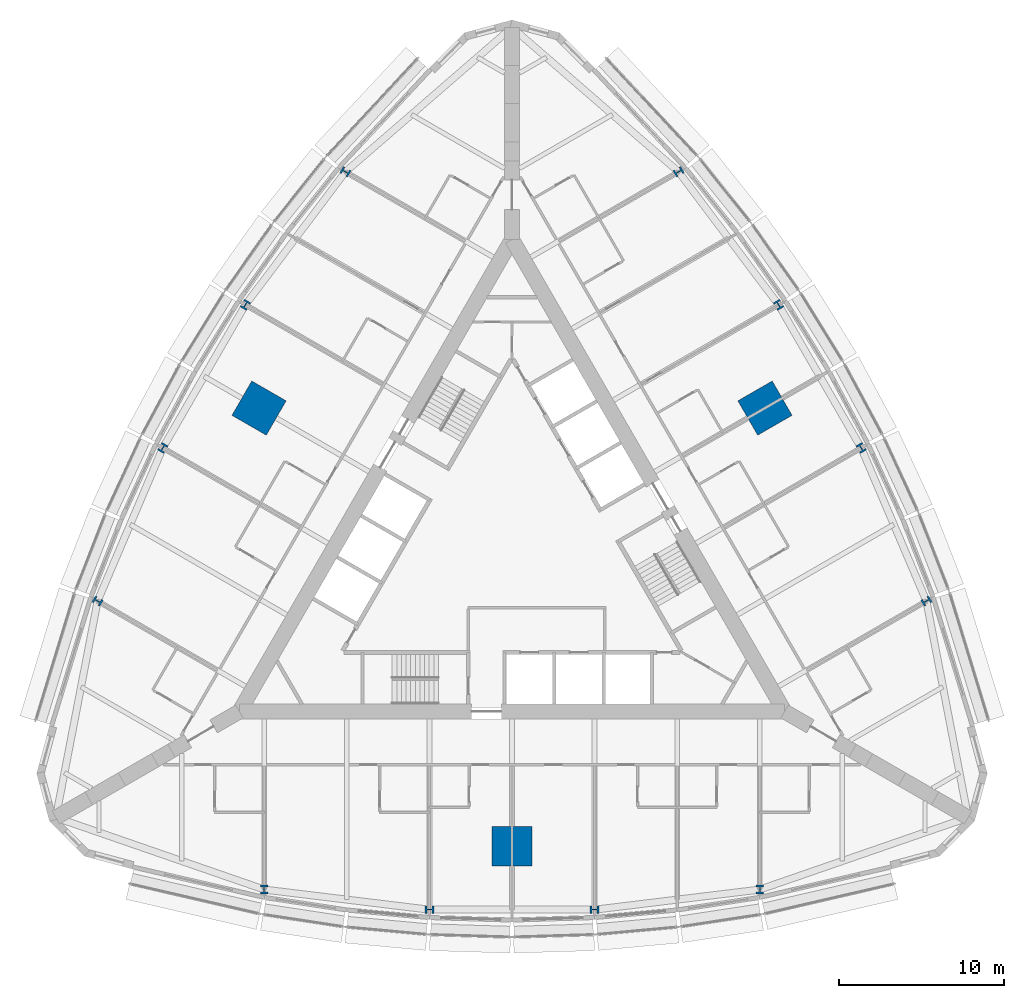
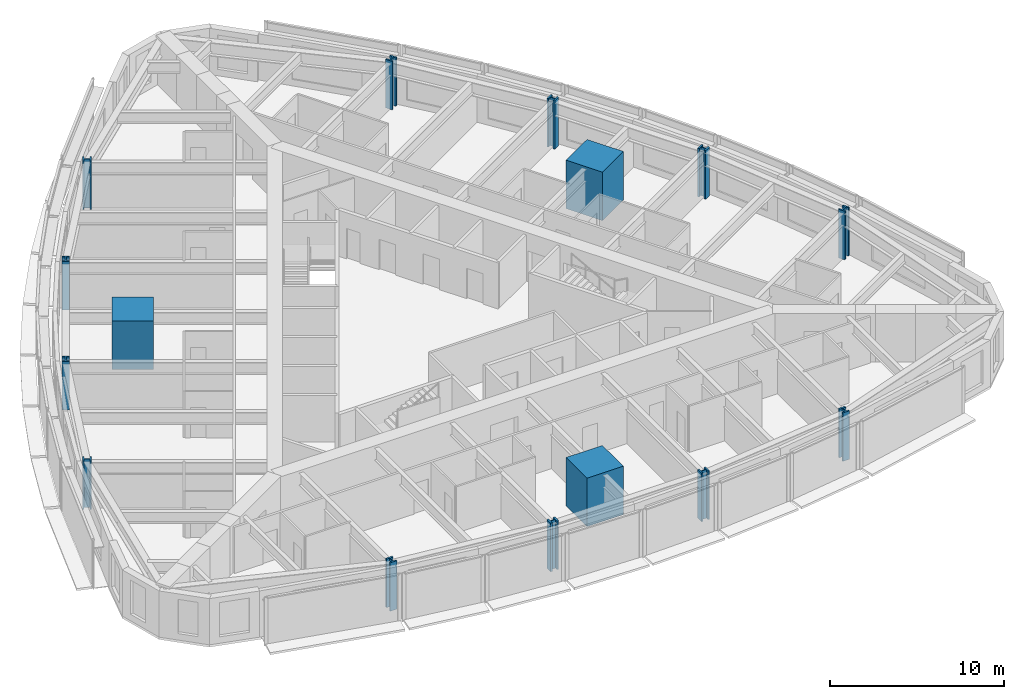
# One storey, part 1 of 14: 15 columns.
"""IFC4 building model written with IfcOpenShell, lengths in metres."""

import ifcopenshell
import ifcopenshell.guid

model = None  # the IFC model being written
_history = None  # IfcOwnerHistory: only IFC2X3 demands one
_inside = {}  # id of a spatial element -> (the spatial element, [elements in it])
_under = {}  # id of a project, library or spatial element -> (it, [spatial elements below it])
_declared = {}  # id of a project -> (the project, [libraries it declares])
_typed = {}  # id of a type object -> (the type object, [elements of that type])
_made_of = {}  # id of a material, layer set ... -> (it, [elements and type objects made of it])


def new_model(schema):
    """Start an empty IFC model of exactly this schema.

    Asked for "IFC4X3", IfcOpenShell would pick the latest addendum, in which some entities
    have other attributes; the version numbers below select the first issue.
    IFC2X3 requires an IfcOwnerHistory on every rooted entity: one is made here for all.
    """
    global model, _history
    if schema == "IFC4X3":
        model = ifcopenshell.file(schema_version=(4, 3, 0, 0))
    else:
        model = ifcopenshell.file(schema=schema)
    _inside.clear()
    _under.clear()
    _declared.clear()
    _typed.clear()
    _made_of.clear()
    _history = None
    if model.schema == "IFC2X3":
        org = make("IfcOrganization", Name="unknown")
        user = make(
            "IfcPersonAndOrganization",
            ThePerson=make("IfcPerson", FamilyName="unknown"),
            TheOrganization=org,
        )
        app = make(
            "IfcApplication",
            ApplicationDeveloper=org,
            Version="unknown",
            ApplicationFullName="unknown",
            ApplicationIdentifier="unknown",
        )
        _history = make(
            "IfcOwnerHistory",
            OwningUser=user,
            OwningApplication=app,
            ChangeAction="ADDED",
            CreationDate=0,
        )
    return model


def make(cls, **values):
    """One entity of the class cls with the attributes given. An attribute that is None is left unset."""
    return model.create_entity(
        cls, **{name: value for name, value in values.items() if value is not None}
    )


def rooted(cls, **values):
    """An entity with a GlobalId (a new one), such as an element, a storey or a relation."""
    return make(cls, GlobalId=ifcopenshell.guid.new(), OwnerHistory=_history, **values)


def si_unit(unit_type, name, prefix=None):
    """IfcSIUnit, for example si_unit("LENGTHUNIT", "METRE", prefix="MILLI")."""
    return make("IfcSIUnit", UnitType=unit_type, Prefix=prefix, Name=name)


def assignment(units):
    """IfcUnitAssignment: the units of a project."""
    return None if units is None else make("IfcUnitAssignment", Units=units)


def point(xyz):
    """IfcCartesianPoint."""
    return None if xyz is None else make("IfcCartesianPoint", Coordinates=xyz)


def direction(xyz):
    """IfcDirection."""
    return None if xyz is None else make("IfcDirection", DirectionRatios=xyz)


def frame(location, z_axis=None, x_axis=None):
    """IfcAxis2Placement3D, a coordinate frame: its origin and axes. An axis left out is left unset."""
    return make(
        "IfcAxis2Placement3D",
        Location=point(location),
        Axis=direction(z_axis),
        RefDirection=direction(x_axis),
    )


def frame_2d(location, x_axis=None):
    """IfcAxis2Placement2D, a coordinate frame in the plane: its origin and x axis."""
    return make(
        "IfcAxis2Placement2D", Location=point(location), RefDirection=direction(x_axis)
    )


def origin():
    """The frame at (0, 0, 0) with its axes left unset."""
    return frame((0.0, 0.0, 0.0))


def origin_2d():
    """The frame at (0, 0) in the plane with its x axis left unset."""
    return frame_2d((0.0, 0.0))


def place(relative_to, where):
    """IfcLocalPlacement: puts the frame where relative to a parent placement (None: the world)."""
    return make(
        "IfcLocalPlacement", PlacementRelTo=relative_to, RelativePlacement=where
    )


def context(
    kind, dimensions, precision=None, world=None, true_north=None, identifier=None
):
    """IfcGeometricRepresentationContext, for example the 3D "Model" context."""
    return make(
        "IfcGeometricRepresentationContext",
        ContextIdentifier=identifier,
        ContextType=kind,
        CoordinateSpaceDimension=dimensions,
        Precision=precision,
        WorldCoordinateSystem=world,
        TrueNorth=true_north,
    )


def subcontext(parent, identifier, kind, view, scale=None):
    """IfcGeometricRepresentationSubContext, for example "Body" below "Model"."""
    return make(
        "IfcGeometricRepresentationSubContext",
        ContextIdentifier=identifier,
        ContextType=kind,
        ParentContext=parent,
        TargetScale=scale,
        TargetView=view,
    )


def project(units=None, contexts=None):
    """IfcProject with its units and contexts."""
    return rooted(
        "IfcProject",
        Name="project",
        RepresentationContexts=contexts,
        UnitsInContext=assignment(units),
    )


def spatial(cls, under=None, at=None, **own):
    """A site, building, storey or space (cls), placed at a placement, below another one or the project."""
    s = rooted(cls, ObjectPlacement=at, **own)
    if under is not None:
        _under.setdefault(under.id(), (under, []))[1].append(s)
    return s


def profile(cls, at=None, kind="AREA", **sizes):
    """A parametric profile (cls). Its sizes go by their IFC names, for example OverallWidth=200.0."""
    return make(cls, ProfileType=kind, Position=at, **sizes)


def rectangle(**sizes):
    """IfcRectangleProfileDef."""
    return profile("IfcRectangleProfileDef", **sizes)


def i_section(**sizes):
    """IfcIShapeProfileDef."""
    return profile("IfcIShapeProfileDef", **sizes)


def extrude(swept, where, along, depth):
    """IfcExtrudedAreaSolid: the profile swept, set in the frame where, extruded along a direction by depth."""
    return make(
        "IfcExtrudedAreaSolid",
        SweptArea=swept,
        Position=where,
        ExtrudedDirection=direction(along),
        Depth=depth,
    )


def shape(context_of_items, identifier, shape_type, items):
    """IfcShapeRepresentation: the items that make up one representation, for example the "Body"."""
    return make(
        "IfcShapeRepresentation",
        ContextOfItems=context_of_items,
        RepresentationIdentifier=identifier,
        RepresentationType=shape_type,
        Items=items,
    )


def material(Name=None, Category=None):
    """IfcMaterial."""
    return make("IfcMaterial", Name=Name, Category=Category)


def material_profile(
    of_material, cross_section, Name=None, Category=None, Priority=None
):
    """IfcMaterialProfile: a cross section and its material."""
    return make(
        "IfcMaterialProfile",
        Name=Name,
        Material=of_material,
        Profile=cross_section,
        Priority=Priority,
        Category=Category,
    )


def profile_set(profiles, Name=None, composite=None):
    """IfcMaterialProfileSet."""
    return make(
        "IfcMaterialProfileSet",
        Name=Name,
        MaterialProfiles=profiles,
        CompositeProfile=composite,
    )


def made_of(thing, what):
    """Note that an element or type object is made of a material, layer set ...; save() writes the relation."""
    if what is not None:
        _made_of.setdefault(what.id(), (what, []))[1].append(thing)
    return thing


def type_object(cls, material=None, **own):
    """A type object (cls), such as IfcWallType, which elements share."""
    return made_of(rooted(cls, **own), material)


def element(
    cls,
    number,
    at=None,
    inside=None,
    cuts=None,
    type_object=None,
    material=None,
    context=None,
    identifier="Body",
    shape_type=None,
    held_by="IfcProductDefinitionShape",
    body=None,
    shapes=None,
    **own,
):
    """One element of the class cls, such as IfcWall. Its Tag is "e" and its number.

    at: its placement. inside: the storey or other place that contains it. cuts: it is an
    opening in that element (IfcRelVoidsElement). A single representation is given by context,
    identifier, shape_type and body (its items); several are given by shapes. held_by: the class
    of the entity that holds the representations. save() writes the other relations.
    """
    e = rooted(cls, Tag="e%d" % number, ObjectPlacement=at, **own)
    if body is not None:
        shapes = [shape(context, identifier, shape_type, body)]
    if shapes is not None:
        e.Representation = make(held_by, Representations=shapes)
    if inside is not None:
        _inside.setdefault(inside.id(), (inside, []))[1].append(e)
    if cuts is not None:
        rooted(
            "IfcRelVoidsElement", RelatingBuildingElement=cuts, RelatedOpeningElement=e
        )
    if type_object is not None:
        _typed.setdefault(type_object.id(), (type_object, []))[1].append(e)
    return made_of(e, material)


def aggregate(whole, parts):
    """IfcRelAggregates: a whole, such as a stair, and the parts it consists of."""
    return rooted("IfcRelAggregates", RelatingObject=whole, RelatedObjects=parts)


def save(model, path):
    """Write the relations noted so far, then the file.

    IfcRelAggregates (storeys below a building ...), IfcRelContainedInSpatialStructure (elements
    in a storey), IfcRelDefinesByType, IfcRelAssociatesMaterial and IfcRelDeclares: one each for
    every whole, place, type object, material and project.
    """
    for whole, parts in _under.values():
        aggregate(whole, parts)
    for where, things in _inside.values():
        rooted(
            "IfcRelContainedInSpatialStructure",
            RelatedElements=things,
            RelatingStructure=where,
        )
    for kind, things in _typed.values():
        rooted("IfcRelDefinesByType", RelatedObjects=things, RelatingType=kind)
    for what, things in _made_of.values():
        rooted("IfcRelAssociatesMaterial", RelatedObjects=things, RelatingMaterial=what)
    for by, libraries in _declared.values():
        rooted("IfcRelDeclares", RelatingContext=by, RelatedDefinitions=libraries)
    model.write(path)


model = new_model("IFC4")

# Units and contexts
model_context = context("Model", 3, precision=1e-05, world=origin(), true_north=direction((0.0, 1.0)))
body_context = subcontext(model_context, "Body", "Model", "MODEL_VIEW")
ifc_project = project(units=[si_unit("LENGTHUNIT", "METRE"), si_unit("AREAUNIT", "SQUARE_METRE"), si_unit("VOLUMEUNIT", "CUBIC_METRE"), si_unit("PLANEANGLEUNIT", "RADIAN"), si_unit("MASSUNIT", "GRAM", prefix="KILO")], contexts=[model_context])

# Site, building, storey
site_placement = place(None, origin())
site = spatial("IfcSite", under=ifc_project, at=site_placement, CompositionType="ELEMENT")
building_placement = place(site_placement, origin())
building = spatial("IfcBuilding", under=site, at=building_placement, Name="Trikona Tower", CompositionType="ELEMENT")
storey_placement = place(building_placement, frame((0.0, 0.0, 93.10009765625)))
storey = spatial("IfcBuildingStorey", under=building, at=storey_placement, Name="L24", CompositionType="ELEMENT", Elevation=93.10009765625)

# Columns
ifc_material_1 = material(Name="Concrete f'c 10000 psi with encased steel section", Category="concrete")
ifc_material_profile_1 = material_profile(ifc_material_1, rectangle(XDim=2.39990234375, YDim=2.39990234375, at=origin_2d()), Name="MC2400")
ifc_profile_set_1 = profile_set([ifc_material_profile_1], Name="Concrete f'c 10000 psi with encased steel section")
column_type_1 = type_object("IfcColumnType", Name="Composite mega column 2400x2400", PredefinedType="COLUMN", material=ifc_profile_set_1)
for number, where, z_axis, x_axis, name in (
    (1, (0.0, -17.680419921875, 0.0), (0.0, 0.0, 1.0), (0.0, -1.0, 0.0), "Mega column MC1"),
    (2, (15.311767578125, 8.84033203125, 0.0), (0.0, 0.0, 1.0), (0.866025403784, 0.5, 0.0), "Mega column MC2"),
    (3, (-15.311767578125, 8.84033203125, 0.0), (0.0, 0.0, 1.0), (-0.866025403784, 0.5, 0.0), "Mega column MC3"),
):
    element("IfcColumn", number, at=place(storey_placement, frame(where, z_axis=z_axis, x_axis=x_axis)), inside=storey, type_object=column_type_1, Name=name, PredefinedType="COLUMN", context=body_context, shape_type="SweptSolid", body=[
        extrude(rectangle(XDim=2.39990234375, YDim=2.39990234375, at=origin_2d()), origin(), (0.0, 0.0, 1.0), 3.39990234375),
    ])
ifc_material_2 = material(Name="Steel ASTM A992 Grade 50", Category="steel")
ifc_material_profile_2 = material_profile(ifc_material_2, i_section(OverallWidth=0.44189453125, OverallDepth=0.53076171875, WebThickness=0.06591796875, FlangeThickness=0.105712890625, at=origin_2d()), Name="W14X605")
ifc_profile_set_2 = profile_set([ifc_material_profile_2], Name="Steel ASTM A992 Grade 50")
column_type_2 = type_object("IfcColumnType", Name="Steel column W14x605", PredefinedType="COLUMN", material=ifc_profile_set_2)
for number, where, z_axis, x_axis, name in (
    (4, (-15.0, -20.302978515625, 0.0), (0.0, 0.0, 1.0), (1.0, 0.0, 0.0), "Column F0m15"),
    (5, (-5.0, -21.5205078125, 0.0), (0.0, 0.0, 1.0), (0.0, -1.0, 0.0), "Column F0m5"),
    (6, (5.0, -21.5205078125, 0.0), (0.0, 0.0, 1.0), (0.0, -1.0, 0.0), "Column F0p5"),
    (7, (15.0, -20.302978515625, 0.0), (0.0, 0.0, 1.0), (1.0, 0.0, 0.0), "Column F0p15"),
    (8, (25.0830078125, -2.8388671875, 0.0), (0.0, 0.0, 1.0), (-0.5, 0.866025403784, 0.0), "Column F1m15"),
    (9, (21.13720703125, 6.43017578125, 0.0), (0.0, 0.0, 1.0), (0.866025403784, 0.5, 0.0), "Column F1m5"),
    (10, (16.13720703125, 15.09033203125, 0.0), (0.0, 0.0, 1.0), (0.866025403784, 0.5, 0.0), "Column F1p5"),
    (11, (10.0830078125, 23.141845703125, 0.0), (0.0, 0.0, 1.0), (-0.5, 0.866025403784, 0.0), "Column F1p15"),
    (12, (-10.0830078125, 23.141845703125, 0.0), (0.0, 0.0, 1.0), (-0.5, -0.866025403784, 0.0), "Column F2m15"),
    (13, (-16.13720703125, 15.09033203125, 0.0), (0.0, 0.0, 1.0), (-0.866025403784, 0.5, 0.0), "Column F2m5"),
    (14, (-21.13720703125, 6.43017578125, 0.0), (0.0, 0.0, 1.0), (-0.866025403784, 0.5, 0.0), "Column F2p5"),
    (15, (-25.0830078125, -2.8388671875, 0.0), (0.0, 0.0, 1.0), (-0.5, -0.866025403784, 0.0), "Column F2p15"),
):
    element("IfcColumn", number, at=place(storey_placement, frame(where, z_axis=z_axis, x_axis=x_axis)), inside=storey, type_object=column_type_2, Name=name, PredefinedType="COLUMN", context=body_context, shape_type="SweptSolid", body=[
        extrude(i_section(OverallWidth=0.44189453125, OverallDepth=0.53076171875, WebThickness=0.06591796875, FlangeThickness=0.105712890625, at=origin_2d()), origin(), (0.0, 0.0, 1.0), 3.39990234375),
    ])

save(model, "model.ifc")
